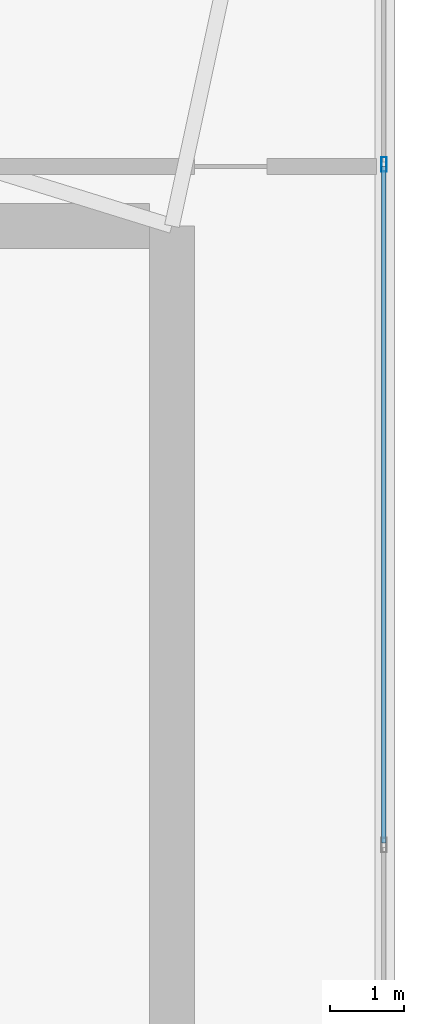
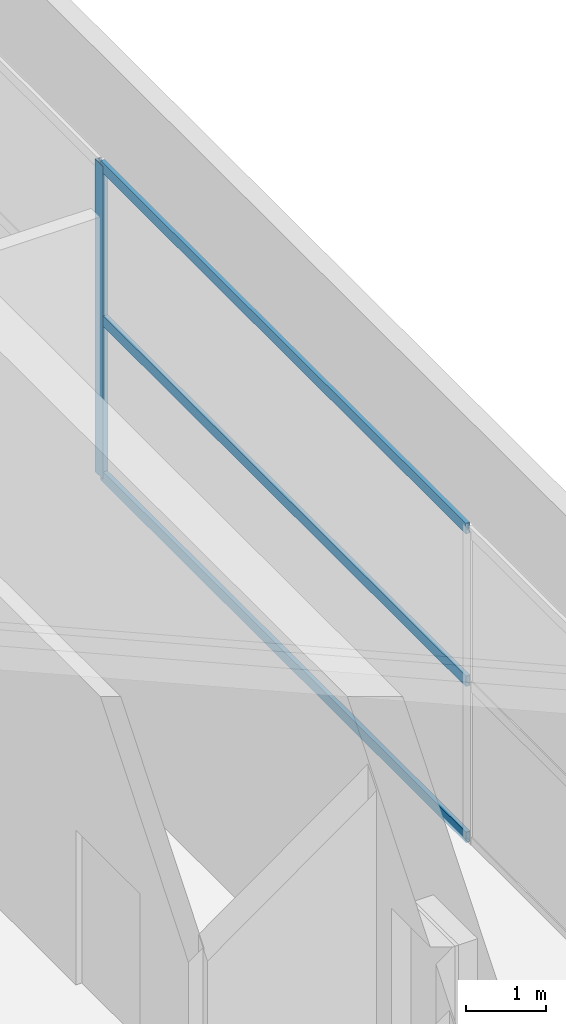
# One storey, part 16 of 20: 4 members, 1 element without a shape of its own.
"""IFC4 building model written with IfcOpenShell, lengths in metres."""

from ifc_helpers import new_model, si_unit, direction, frame, origin, origin_2d, place, context, subcontext, project, spatial, hollow_rectangle, extrude, material, layer, layer_set, material_profile, profile_set, type_object, element, aggregate, save


model = new_model("IFC4")

# Units and contexts
model_context = context("Model", 3, precision=1e-05, world=origin(), true_north=direction((0.0, 1.0)))
body_context = subcontext(model_context, "Body", "Model", "MODEL_VIEW")
ifc_project = project(units=[si_unit("LENGTHUNIT", "METRE"), si_unit("AREAUNIT", "SQUARE_METRE"), si_unit("VOLUMEUNIT", "CUBIC_METRE"), si_unit("PLANEANGLEUNIT", "RADIAN"), si_unit("MASSUNIT", "GRAM", prefix="KILO")], contexts=[model_context])

# Site, building, storey
site_placement = place(None, origin())
site = spatial("IfcSite", under=ifc_project, at=site_placement, CompositionType="ELEMENT")
building_placement = place(site_placement, origin())
building = spatial("IfcBuilding", under=site, at=building_placement, Name="Calvorn Quay Hotel", CompositionType="ELEMENT")
storey_placement = place(building_placement, frame((0.0, 0.0, 345.5)))
storey = spatial("IfcBuildingStorey", under=building, at=storey_placement, Name="L84", CompositionType="ELEMENT", Elevation=345.5)

# Curtain wall, members
ifc_material_1 = material(Name="Pale Anodised Aluminium and Laminated Glass", Category="aluminium")
ifc_layer = layer(ifc_material_1, 0.219970703125)
ifc_layer_set = layer_set([ifc_layer], Name="CW-SYS-CRN")
curtain_wall_type = type_object("IfcCurtainWallType", Name="CW-SYS-CRN", PredefinedType="NOTDEFINED", material=ifc_layer_set)
curtain_wall_placement = place(storey_placement, origin())
curtain_wall = element("IfcCurtainWall", 1, at=curtain_wall_placement, inside=storey, type_object=curtain_wall_type, Name="Crown Curtain Wall L84-C2", PredefinedType="NOTDEFINED")
ifc_material_2 = material(Name="Pale Anodised Aluminium 6063-T6", Category="aluminium")
ifc_material_profile_1 = material_profile(ifc_material_2, hollow_rectangle(XDim=0.072021484375, YDim=0.195068359375, WallThickness=0.00390625, at=origin_2d()), Name="ALU-M195x72x4")
ifc_profile_set_1 = profile_set([ifc_material_profile_1], Name="Pale Anodised Aluminium 6063-T6")
member_type_1 = type_object("IfcMemberType", Name="CW-SYS-CRN-MUL", PredefinedType="MULLION", material=ifc_profile_set_1)
member_1_placement = place(storey_placement, frame((17.85009765625, 39.22802734375, 0.0), z_axis=(0.0, 0.0, 1.0), x_axis=(-1.0, 0.0, 0.0)))
member_1 = element("IfcMember", 2, at=member_1_placement, type_object=member_type_1, Name="CW-L84-C2 mullion 5", PredefinedType="MULLION", context=body_context, shape_type="SweptSolid", body=[
    extrude(hollow_rectangle(XDim=0.072021484375, YDim=0.195068359375, WallThickness=0.00390625, at=origin_2d()), origin(), (0.0, 0.0, 1.0), 4.75),
])
ifc_material_3 = material(Name="Pale Anodised Aluminium 6063-T6", Category="aluminium")
ifc_material_profile_2 = material_profile(ifc_material_3, hollow_rectangle(XDim=0.06201171875, YDim=0.159912109375, WallThickness=0.00341796875, at=origin_2d()), Name="ALU-T160x62x3.5")
ifc_profile_set_2 = profile_set([ifc_material_profile_2], Name="Pale Anodised Aluminium 6063-T6")
member_type_2 = type_object("IfcMemberType", Name="CW-SYS-CRN-TRN", PredefinedType="USERDEFINED", material=ifc_profile_set_2)
member_2_placement = place(storey_placement, frame((17.85009765625, 30.10595703125, 0.030029296875), z_axis=(0.0, 1.0, 0.0), x_axis=(-1.0, 0.0, 0.0)))
member_2 = element("IfcMember", 3, at=member_2_placement, type_object=member_type_2, Name="CW-L84-C2 transom 4.1", ObjectType="TRANSOM", PredefinedType="USERDEFINED", context=body_context, shape_type="SweptSolid", body=[
    extrude(hollow_rectangle(XDim=0.06201171875, YDim=0.159912109375, WallThickness=0.00341796875, at=origin_2d()), origin(), (0.0, 0.0, 1.0), 9.092041015625),
])
member_3_placement = place(storey_placement, frame((17.85009765625, 30.10595703125, 2.39990234375), z_axis=(0.0, 1.0, 0.0), x_axis=(-1.0, 0.0, 0.0)))
member_3 = element("IfcMember", 4, at=member_3_placement, type_object=member_type_2, Name="CW-L84-C2 transom 4.2", ObjectType="TRANSOM", PredefinedType="USERDEFINED", context=body_context, shape_type="SweptSolid", body=[
    extrude(hollow_rectangle(XDim=0.06201171875, YDim=0.159912109375, WallThickness=0.00341796875, at=origin_2d()), origin(), (0.0, 0.0, 1.0), 9.092041015625),
])
member_4_placement = place(storey_placement, frame((17.85009765625, 30.10595703125, 4.719970703125), z_axis=(0.0, 1.0, 0.0), x_axis=(-1.0, 0.0, 0.0)))
member_4 = element("IfcMember", 5, at=member_4_placement, type_object=member_type_2, Name="CW-L84-C2 transom 4.3", ObjectType="TRANSOM", PredefinedType="USERDEFINED", context=body_context, shape_type="SweptSolid", body=[
    extrude(hollow_rectangle(XDim=0.06201171875, YDim=0.159912109375, WallThickness=0.00341796875, at=origin_2d()), origin(), (0.0, 0.0, 1.0), 9.092041015625),
])
aggregate(curtain_wall, [member_1, member_2, member_3, member_4])

save(model, "model.ifc")
